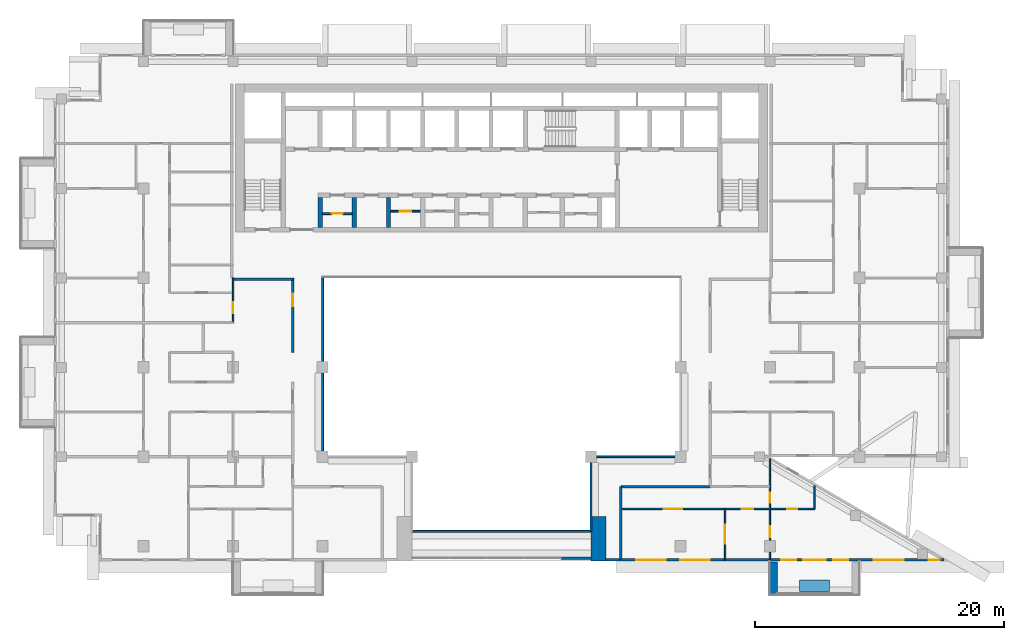
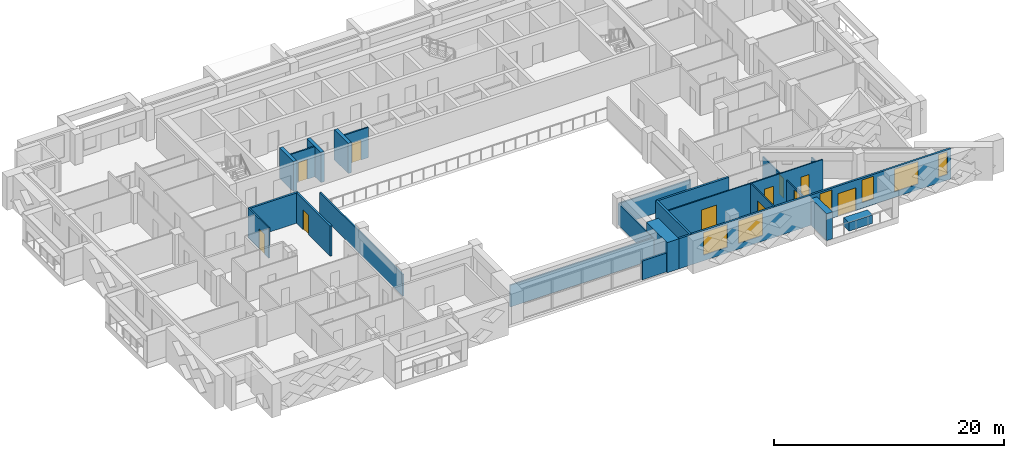
# One storey, part 8 of 20: 23 walls, 11 doors, 6 windows, 17 openings.
"""IFC4 building model written with IfcOpenShell, lengths in metres."""

from ifc_helpers import new_model, si_unit, direction, frame, frame_2d, origin, place, context, subcontext, project, spatial, rectangle, extrude, material, layer, layer_set, type_object, element, fill, save


model = new_model("IFC4")

# Units and contexts
model_context = context("Model", 3, precision=1e-05, world=origin(), true_north=direction((0.0, 1.0)))
body_context = subcontext(model_context, "Body", "Model", "MODEL_VIEW")
ifc_project = project(units=[si_unit("LENGTHUNIT", "METRE"), si_unit("AREAUNIT", "SQUARE_METRE"), si_unit("VOLUMEUNIT", "CUBIC_METRE"), si_unit("PLANEANGLEUNIT", "RADIAN"), si_unit("MASSUNIT", "GRAM", prefix="KILO")], contexts=[model_context])

# Site, building, storey
site_placement = place(None, origin())
site = spatial("IfcSite", under=ifc_project, at=site_placement, CompositionType="ELEMENT")
building_placement = place(site_placement, origin())
building = spatial("IfcBuilding", under=site, at=building_placement, Name="Saffron Iwan Residences", CompositionType="ELEMENT")
storey_placement = place(building_placement, frame((0.0, 0.0, 178.0)))
storey = spatial("IfcBuildingStorey", under=building, at=storey_placement, Name="L47", CompositionType="ELEMENT", Elevation=178.0)

# Walls
ifc_material_1 = material(Name="Fire-rated glazing", Category="glass")
ifc_layer_1 = layer(ifc_material_1, 0.14990234375)
ifc_layer_set_1 = layer_set([ifc_layer_1], Name="Fire-rated glazing")
wall_type_1 = type_object("IfcWallType", Name="Atrium glazed screen 150", PredefinedType="SOLIDWALL", material=ifc_layer_set_1)
wall_1_placement = place(storey_placement, frame((43.199951171875, 42.0, 0.0), z_axis=(0.0, 0.0, 1.0), x_axis=(1.0, 0.0, 0.0)))
element("IfcWall", 1, at=wall_1_placement, inside=storey, type_object=wall_type_1, Name="W-L47-SCREEN-h42-43.2", PredefinedType="SOLIDWALL", context=body_context, shape_type="SweptSolid", body=[
    extrude(rectangle(XDim=14.400146484375, YDim=0.14990234375, at=frame_2d((7.2001953125, 0.0))), origin(), (0.0, 0.0, 1.0), 2.300048828125),
])
wall_2_placement = place(storey_placement, frame((57.60009765625, 48.0, 0.0), z_axis=(0.0, 0.0, 1.0), x_axis=(1.0, 0.0, 0.0)))
element("IfcWall", 2, at=wall_2_placement, inside=storey, type_object=wall_type_1, Name="W-L47-SCREEN-h48-57.6", PredefinedType="SOLIDWALL", context=body_context, shape_type="SweptSolid", body=[
    extrude(rectangle(XDim=7.199951171875, YDim=0.14990234375, at=frame_2d((3.60009765625, 0.0))), origin(), (0.0, 0.0, 1.0), 2.300048828125),
])
wall_3_placement = place(storey_placement, frame((36.0, 48.0, 0.0), z_axis=(0.0, 0.0, 1.0), x_axis=(0.0, 1.0, 0.0)))
element("IfcWall", 3, at=wall_3_placement, inside=storey, type_object=wall_type_1, Name="W-L47-SCREEN-v36-48", PredefinedType="SOLIDWALL", context=body_context, shape_type="SweptSolid", body=[
    extrude(rectangle(XDim=14.39990234375, YDim=0.14990234375, at=frame_2d((7.199951171875, 0.0))), origin(), (0.0, 0.0, 1.0), 2.300048828125),
])
wall_4_placement = place(storey_placement, frame((57.60009765625, 42.0, 0.0), z_axis=(0.0, 0.0, 1.0), x_axis=(0.0, 1.0, 0.0)))
element("IfcWall", 4, at=wall_4_placement, inside=storey, type_object=wall_type_1, Name="W-L47-SCREEN-v57.6-42", PredefinedType="SOLIDWALL", context=body_context, shape_type="SweptSolid", body=[
    extrude(rectangle(XDim=6.0, YDim=0.14990234375, at=frame_2d((3.0, 0.0))), origin(), (0.0, 0.0, 1.0), 2.300048828125),
])
ifc_material_2 = material(Name="Concrete C50/60 white painted", Category="concrete")
ifc_layer_2 = layer(ifc_material_2, 0.60009765625)
ifc_layer_set_2 = layer_set([ifc_layer_2], Name="Concrete C50/60 white painted")
wall_type_2 = type_object("IfcWallType", Name="BALCONY FIN 600", PredefinedType="SOLIDWALL", material=ifc_layer_set_2)
wall_5_placement = place(storey_placement, frame((72.300048828125, 39.550048828125, 0.0), z_axis=(0.0, 0.0, 1.0), x_axis=(0.0, -1.0, 0.0)))
element("IfcWall", 5, at=wall_5_placement, inside=storey, type_object=wall_type_2, Name="Balcony fin L47 11-1a", PredefinedType="SOLIDWALL", context=body_context, shape_type="SweptSolid", body=[
    extrude(rectangle(XDim=2.650146484375, YDim=0.60009765625, at=frame_2d((1.3251953125, 0.0))), origin(), (0.0, 0.0, 1.0), 2.85009765625),
])
ifc_material_3 = material(Name="Concrete C35/45 white painted", Category="concrete")
ifc_layer_3 = layer(ifc_material_3, 0.14990234375)
ifc_layer_set_3 = layer_set([ifc_layer_3], Name="Concrete C35/45 white painted")
wall_type_3 = type_object("IfcWallType", Name="BALCONY PLANTER", PredefinedType="SOLIDWALL", material=ifc_layer_set_3)
wall_6_placement = place(storey_placement, frame((74.39990234375, 37.625, 0.0), z_axis=(0.0, 0.0, 1.0), x_axis=(1.0, 0.0, 0.0)))
element("IfcWall", 6, at=wall_6_placement, inside=storey, type_object=wall_type_3, Name="PLANTER L47 11-1", PredefinedType="SOLIDWALL", context=body_context, shape_type="SweptSolid", body=[
    extrude(rectangle(XDim=2.400146484375, YDim=0.89990234375, at=frame_2d((1.2001953125, 0.0))), origin(), (0.0, 0.0, 1.0), 0.89990234375),
])

# Wall, opening, door
ifc_material_4 = material(Name="Fire-rated plasterboard partition")
ifc_layer_4 = layer(ifc_material_4, 0.14990234375)
ifc_layer_set_4 = layer_set([ifc_layer_4], Name="Fire-rated plasterboard partition")
wall_type_4 = type_object("IfcWallType", Name="Core partition 150", PredefinedType="PARTITIONING", material=ifc_layer_set_4)
wall_7_placement = place(storey_placement, frame((35.97509765625, 67.5654296875, 0.0), z_axis=(0.0, 0.0, 1.0), x_axis=(1.0, 0.0, 0.0)))
wall_7 = element("IfcWall", 7, at=wall_7_placement, inside=storey, type_object=wall_type_4, Name="Core partition P01", PredefinedType="PARTITIONING", context=body_context, shape_type="SweptSolid", body=[
    extrude(rectangle(XDim=2.39990234375, YDim=0.14990234375, at=frame_2d((1.199951171875, 0.0))), origin(), (0.0, 0.0, 1.0), 3.199951171875),
])
opening_1_placement = place(wall_7_placement, frame((0.75, 0.0, 0.0)))
opening_1 = element("IfcOpeningElement", 8, at=opening_1_placement, cuts=wall_7, Name="Opening SB", PredefinedType="OPENING", context=body_context, shape_type="SweptSolid", body=[
    extrude(rectangle(XDim=0.89990234375, YDim=2.10009765625, at=frame_2d((0.449951171875, 1.050048828125))), frame((0.0, 0.0849609375, 0.0), z_axis=(0.0, -1.0, 0.0), x_axis=(1.0, 0.0, 0.0)), (0.0, 0.0, 1.0), 0.169921875),
])
ifc_material_5 = material(Name="Steel fire door", Category="steel")
door_type_1 = type_object("IfcDoorType", Name="Store door 900", OperationType="NOTDEFINED", PredefinedType="DOOR", material=ifc_material_5)
door_1_placement = place(opening_1_placement, origin())
door_1 = element("IfcDoor", 9, at=door_1_placement, inside=storey, type_object=door_type_1, Name="Door Equipment store", OperationType="SINGLE_SWING_RIGHT", OverallHeight=2.10009765625, OverallWidth=0.89990234375, PredefinedType="DOOR", context=body_context, shape_type="SweptSolid", body=[
    extrude(rectangle(XDim=0.89990234375, YDim=2.10009765625, at=frame_2d((0.449951171875, 1.050048828125))), frame((0.0, 0.02490234375, 0.0), z_axis=(0.0, -1.0, 0.0), x_axis=(1.0, 0.0, 0.0)), (0.0, 0.0, 1.0), 0.050048828125),
])
fill(opening_1, door_1)

wall_8_placement = place(storey_placement, frame((41.47509765625, 67.759521484375, 0.0), z_axis=(0.0, 0.0, 1.0), x_axis=(1.0, 0.0, 0.0)))
wall_8 = element("IfcWall", 10, at=wall_8_placement, inside=storey, type_object=wall_type_4, Name="Core partition P02", PredefinedType="PARTITIONING", context=body_context, shape_type="SweptSolid", body=[
    extrude(rectangle(XDim=2.39990234375, YDim=0.14990234375, at=frame_2d((1.199951171875, 0.0))), origin(), (0.0, 0.0, 1.0), 3.199951171875),
])
opening_2_placement = place(wall_8_placement, frame((0.75, 0.0, 0.0)))
opening_2 = element("IfcOpeningElement", 11, at=opening_2_placement, cuts=wall_8, Name="Opening SB", PredefinedType="OPENING", context=body_context, shape_type="SweptSolid", body=[
    extrude(rectangle(XDim=0.89990234375, YDim=2.10009765625, at=frame_2d((0.449951171875, 1.050048828125))), frame((0.0, 0.0849609375, 0.0), z_axis=(0.0, -1.0, 0.0), x_axis=(1.0, 0.0, 0.0)), (0.0, 0.0, 1.0), 0.169921875),
])
door_2_placement = place(opening_2_placement, origin())
door_2 = element("IfcDoor", 12, at=door_2_placement, inside=storey, type_object=door_type_1, Name="Door Spares store", OperationType="SINGLE_SWING_LEFT", OverallHeight=2.10009765625, OverallWidth=0.89990234375, PredefinedType="DOOR", context=body_context, shape_type="SweptSolid", body=[
    extrude(rectangle(XDim=0.89990234375, YDim=2.10009765625, at=frame_2d((0.449951171875, 1.050048828125))), frame((0.0, 0.02490234375, 0.0), z_axis=(0.0, -1.0, 0.0), x_axis=(1.0, 0.0, 0.0)), (0.0, 0.0, 1.0), 0.050048828125),
])
fill(opening_2, door_2)

# Wall, openings, door, windows
ifc_material_6 = material(Name="Concrete C40/50", Category="concrete")
ifc_layer_5 = layer(ifc_material_6, 0.199951171875)
ifc_layer_set_5 = layer_set([ifc_layer_5], Name="Concrete C40/50")
wall_type_5 = type_object("IfcWallType", Name="EXTERNAL WALL 200", PredefinedType="SOLIDWALL", material=ifc_layer_set_5)
wall_9_placement = place(storey_placement, frame((58.800048828125, 39.699951171875, 0.0), z_axis=(0.0, 0.0, 1.0), x_axis=(1.0, 0.0, 0.0)))
wall_9 = element("IfcWall", 13, at=wall_9_placement, inside=storey, type_object=wall_type_5, Name="External wall L47 F11.1", PredefinedType="SOLIDWALL", context=body_context, shape_type="SweptSolid", body=[
    extrude(rectangle(XDim=27.22998046875, YDim=0.199951171875, at=frame_2d((13.614990234375, 0.0))), origin(), (0.0, 0.0, 1.0), 3.199951171875),
])
opening_3_placement = place(wall_9_placement, frame((15.89990234375, 0.0, 0.0)))
opening_3 = element("IfcOpeningElement", 14, at=opening_3_placement, cuts=wall_9, Name="Opening BD1", PredefinedType="OPENING", context=body_context, shape_type="SweptSolid", body=[
    extrude(rectangle(XDim=1.800048828125, YDim=2.39990234375, at=frame_2d((0.89990234375, 1.199951171875))), frame((0.0, 0.10986328125, 0.0), z_axis=(0.0, -1.0, 0.0), x_axis=(1.0, 0.0, 0.0)), (0.0, 0.0, 1.0), 0.219970703125),
])
opening_4_placement = place(wall_9_placement, frame((2.433349609375, 0.0, 0.60009765625)))
opening_4 = element("IfcOpeningElement", 15, at=opening_4_placement, cuts=wall_9, Name="Opening W1", PredefinedType="OPENING", context=body_context, shape_type="SweptSolid", body=[
    extrude(rectangle(XDim=2.39990234375, YDim=2.39990234375, at=frame_2d((1.199951171875, 1.199951171875))), frame((0.0, 0.10986328125, 0.0), z_axis=(0.0, -1.0, 0.0), x_axis=(1.0, 0.0, 0.0)), (0.0, 0.0, 1.0), 0.219970703125),
])
opening_5_placement = place(wall_9_placement, frame((5.966796875, 0.0, 0.60009765625)))
opening_5 = element("IfcOpeningElement", 16, at=opening_5_placement, cuts=wall_9, Name="Opening W1", PredefinedType="OPENING", context=body_context, shape_type="SweptSolid", body=[
    extrude(rectangle(XDim=2.39990234375, YDim=2.39990234375, at=frame_2d((1.199951171875, 1.199951171875))), frame((0.0, 0.10986328125, 0.0), z_axis=(0.0, -1.0, 0.0), x_axis=(1.0, 0.0, 0.0)), (0.0, 0.0, 1.0), 0.219970703125),
])
opening_6_placement = place(wall_9_placement, frame((14.10009765625, 0.0, 0.60009765625)))
opening_6 = element("IfcOpeningElement", 17, at=opening_6_placement, cuts=wall_9, Name="Opening W3", PredefinedType="OPENING", context=body_context, shape_type="SweptSolid", body=[
    extrude(rectangle(XDim=1.199951171875, YDim=2.39990234375, at=frame_2d((0.60009765625, 1.199951171875))), frame((0.0, 0.10986328125, 0.0), z_axis=(0.0, -1.0, 0.0), x_axis=(1.0, 0.0, 0.0)), (0.0, 0.0, 1.0), 0.219970703125),
])
opening_7_placement = place(wall_9_placement, frame((18.300048828125, 0.0, 0.60009765625)))
opening_7 = element("IfcOpeningElement", 18, at=opening_7_placement, cuts=wall_9, Name="Opening W3", PredefinedType="OPENING", context=body_context, shape_type="SweptSolid", body=[
    extrude(rectangle(XDim=1.199951171875, YDim=2.39990234375, at=frame_2d((0.60009765625, 1.199951171875))), frame((0.0, 0.10986328125, 0.0), z_axis=(0.0, -1.0, 0.0), x_axis=(1.0, 0.0, 0.0)), (0.0, 0.0, 1.0), 0.219970703125),
])
opening_8_placement = place(wall_9_placement, frame((21.56298828125, 0.0, 0.60009765625)))
opening_8 = element("IfcOpeningElement", 19, at=opening_8_placement, cuts=wall_9, Name="Opening W1", PredefinedType="OPENING", context=body_context, shape_type="SweptSolid", body=[
    extrude(rectangle(XDim=2.39990234375, YDim=2.39990234375, at=frame_2d((1.199951171875, 1.199951171875))), frame((0.0, 0.10986328125, 0.0), z_axis=(0.0, -1.0, 0.0), x_axis=(1.0, 0.0, 0.0)), (0.0, 0.0, 1.0), 0.219970703125),
])
opening_9_placement = place(wall_9_placement, frame((25.978271484375, 0.0, 0.60009765625)))
opening_9 = element("IfcOpeningElement", 20, at=opening_9_placement, cuts=wall_9, Name="Opening W10", PredefinedType="OPENING", context=body_context, shape_type="SweptSolid", body=[
    extrude(rectangle(XDim=0.89990234375, YDim=2.39990234375, at=frame_2d((0.449951171875, 1.199951171875))), frame((0.0, 0.10986328125, 0.0), z_axis=(0.0, -1.0, 0.0), x_axis=(1.0, 0.0, 0.0)), (0.0, 0.0, 1.0), 0.219970703125),
])
ifc_material_7 = material(Name="Clear glass, laminated double glazed", Category="glass")
door_type_2 = type_object("IfcDoorType", Name="BALCONY DOOR 1800 x 2400", OperationType="DOUBLE_DOOR_SLIDING", PredefinedType="DOOR", material=ifc_material_7)
door_3_placement = place(opening_3_placement, origin())
door_3 = element("IfcDoor", 21, at=door_3_placement, inside=storey, type_object=door_type_2, Name="Balcony door L47 F11.0", OperationType="DOUBLE_DOOR_SLIDING", OverallHeight=2.39990234375, OverallWidth=1.800048828125, PredefinedType="DOOR", context=body_context, shape_type="SweptSolid", body=[
    extrude(rectangle(XDim=1.800048828125, YDim=2.39990234375, at=frame_2d((0.89990234375, 1.199951171875))), frame((0.0, 0.02490234375, 0.0), z_axis=(0.0, -1.0, 0.0), x_axis=(1.0, 0.0, 0.0)), (0.0, 0.0, 1.0), 0.050048828125),
])
fill(opening_3, door_3)
window_type_1 = type_object("IfcWindowType", Name="WINDOW 1200 x 2400", PartitioningType="SINGLE_PANEL", PredefinedType="WINDOW", material=ifc_material_7)
window_1_placement = place(opening_6_placement, origin())
window_1 = element("IfcWindow", 22, at=window_1_placement, inside=storey, type_object=window_type_1, Name="Window L47 F11.3", OverallHeight=2.39990234375, OverallWidth=1.199951171875, PartitioningType="SINGLE_PANEL", PredefinedType="WINDOW", context=body_context, shape_type="SweptSolid", body=[
    extrude(rectangle(XDim=1.199951171875, YDim=2.39990234375, at=frame_2d((0.60009765625, 1.199951171875))), frame((0.0, 0.030029296875, 0.0), z_axis=(0.0, -1.0, 0.0), x_axis=(1.0, 0.0, 0.0)), (0.0, 0.0, 1.0), 0.06005859375),
])
fill(opening_6, window_1)
window_2_placement = place(opening_7_placement, origin())
window_2 = element("IfcWindow", 23, at=window_2_placement, inside=storey, type_object=window_type_1, Name="Window L47 F11.4", OverallHeight=2.39990234375, OverallWidth=1.199951171875, PartitioningType="SINGLE_PANEL", PredefinedType="WINDOW", context=body_context, shape_type="SweptSolid", body=[
    extrude(rectangle(XDim=1.199951171875, YDim=2.39990234375, at=frame_2d((0.60009765625, 1.199951171875))), frame((0.0, 0.030029296875, 0.0), z_axis=(0.0, -1.0, 0.0), x_axis=(1.0, 0.0, 0.0)), (0.0, 0.0, 1.0), 0.06005859375),
])
fill(opening_7, window_2)
window_type_2 = type_object("IfcWindowType", Name="WINDOW 2400 x 2400", PartitioningType="DOUBLE_PANEL_VERTICAL", PredefinedType="WINDOW", material=ifc_material_7)
window_3_placement = place(opening_4_placement, origin())
window_3 = element("IfcWindow", 24, at=window_3_placement, inside=storey, type_object=window_type_2, Name="Window L47 F11.1", OverallHeight=2.39990234375, OverallWidth=2.39990234375, PartitioningType="DOUBLE_PANEL_VERTICAL", PredefinedType="WINDOW", context=body_context, shape_type="SweptSolid", body=[
    extrude(rectangle(XDim=2.39990234375, YDim=2.39990234375, at=frame_2d((1.199951171875, 1.199951171875))), frame((0.0, 0.030029296875, 0.0), z_axis=(0.0, -1.0, 0.0), x_axis=(1.0, 0.0, 0.0)), (0.0, 0.0, 1.0), 0.06005859375),
])
fill(opening_4, window_3)
window_4_placement = place(opening_5_placement, origin())
window_4 = element("IfcWindow", 25, at=window_4_placement, inside=storey, type_object=window_type_2, Name="Window L47 F11.2", OverallHeight=2.39990234375, OverallWidth=2.39990234375, PartitioningType="DOUBLE_PANEL_VERTICAL", PredefinedType="WINDOW", context=body_context, shape_type="SweptSolid", body=[
    extrude(rectangle(XDim=2.39990234375, YDim=2.39990234375, at=frame_2d((1.199951171875, 1.199951171875))), frame((0.0, 0.030029296875, 0.0), z_axis=(0.0, -1.0, 0.0), x_axis=(1.0, 0.0, 0.0)), (0.0, 0.0, 1.0), 0.06005859375),
])
fill(opening_5, window_4)
window_5_placement = place(opening_8_placement, origin())
window_5 = element("IfcWindow", 26, at=window_5_placement, inside=storey, type_object=window_type_2, Name="Window L47 F11.5", OverallHeight=2.39990234375, OverallWidth=2.39990234375, PartitioningType="DOUBLE_PANEL_VERTICAL", PredefinedType="WINDOW", context=body_context, shape_type="SweptSolid", body=[
    extrude(rectangle(XDim=2.39990234375, YDim=2.39990234375, at=frame_2d((1.199951171875, 1.199951171875))), frame((0.0, 0.030029296875, 0.0), z_axis=(0.0, -1.0, 0.0), x_axis=(1.0, 0.0, 0.0)), (0.0, 0.0, 1.0), 0.06005859375),
])
fill(opening_8, window_5)
window_type_3 = type_object("IfcWindowType", Name="WINDOW 900 x 2400", PartitioningType="SINGLE_PANEL", PredefinedType="WINDOW", material=ifc_material_7)
window_6_placement = place(opening_9_placement, origin())
window_6 = element("IfcWindow", 27, at=window_6_placement, inside=storey, type_object=window_type_3, Name="Window L47 F11.6", OverallHeight=2.39990234375, OverallWidth=0.89990234375, PartitioningType="SINGLE_PANEL", PredefinedType="WINDOW", context=body_context, shape_type="SweptSolid", body=[
    extrude(rectangle(XDim=0.89990234375, YDim=2.39990234375, at=frame_2d((0.449951171875, 1.199951171875))), frame((0.0, 0.030029296875, 0.0), z_axis=(0.0, -1.0, 0.0), x_axis=(1.0, 0.0, 0.0)), (0.0, 0.0, 1.0), 0.06005859375),
])
fill(opening_9, window_6)

# Wall
wall_10_placement = place(storey_placement, frame((55.199951171875, 39.85009765625, 0.0), z_axis=(0.0, 0.0, 1.0), x_axis=(1.0, 0.0, 0.0)))
element("IfcWall", 28, at=wall_10_placement, inside=storey, type_object=wall_type_5, Name="External wall infill CWB-L47-0", PredefinedType="SOLIDWALL", context=body_context, shape_type="SweptSolid", body=[
    extrude(rectangle(XDim=2.400146484375, YDim=0.199951171875, at=frame_2d((1.2001953125, 0.0))), origin(), (0.0, 0.0, 1.0), 2.0),
])

# Wall, openings, doors
ifc_material_8 = material(Name="Gypsum board partition")
ifc_layer_6 = layer(ifc_material_8, 0.1201171875)
ifc_layer_set_6 = layer_set([ifc_layer_6], Name="Gypsum board partition")
wall_type_6 = type_object("IfcWallType", Name="Flat partition 120", PredefinedType="PARTITIONING", material=ifc_layer_set_6)
wall_11_placement = place(storey_placement, frame((60.0, 43.800048828125, 0.0), z_axis=(0.0, 0.0, 1.0), x_axis=(1.0, 0.0, 0.0)))
wall_11 = element("IfcWall", 29, at=wall_11_placement, inside=storey, type_object=wall_type_6, Name="W-L47-PART-h43.8-60", PredefinedType="PARTITIONING", context=body_context, shape_type="SweptSolid", body=[
    extrude(rectangle(XDim=15.60009765625, YDim=0.1201171875, at=frame_2d((7.800048828125, 0.0))), origin(), (0.0, 0.0, 1.0), 3.199951171875),
])
opening_10_placement = place(wall_11_placement, frame((9.75, 0.0, 0.0)))
opening_10 = element("IfcOpeningElement", 30, at=opening_10_placement, cuts=wall_11, Name="Opening FD2", PredefinedType="OPENING", context=body_context, shape_type="SweptSolid", body=[
    extrude(rectangle(XDim=0.89990234375, YDim=2.10009765625, at=frame_2d((0.449951171875, 1.050048828125))), frame((0.0, 0.070068359375, 0.0), z_axis=(0.0, -1.0, 0.0), x_axis=(1.0, 0.0, 0.0)), (0.0, 0.0, 1.0), 0.14013671875),
])
opening_11_placement = place(wall_11_placement, frame((3.449951171875, 0.0, 0.0)))
opening_11 = element("IfcOpeningElement", 31, at=opening_11_placement, cuts=wall_11, Name="Opening FD4", PredefinedType="OPENING", context=body_context, shape_type="SweptSolid", body=[
    extrude(rectangle(XDim=1.5, YDim=2.10009765625, at=frame_2d((0.75, 1.050048828125))), frame((0.0, 0.070068359375, 0.0), z_axis=(0.0, -1.0, 0.0), x_axis=(1.0, 0.0, 0.0)), (0.0, 0.0, 1.0), 0.14013671875),
])
opening_12_placement = place(wall_11_placement, frame((13.39990234375, 0.0, 0.0)))
opening_12 = element("IfcOpeningElement", 32, at=opening_12_placement, cuts=wall_11, Name="Opening FD3", PredefinedType="OPENING", context=body_context, shape_type="SweptSolid", body=[
    extrude(rectangle(XDim=0.800048828125, YDim=2.10009765625, at=frame_2d((0.39990234375, 1.050048828125))), frame((0.0, 0.070068359375, 0.0), z_axis=(0.0, -1.0, 0.0), x_axis=(1.0, 0.0, 0.0)), (0.0, 0.0, 1.0), 0.14013671875),
])
ifc_material_9 = material(Name="Timber door", Category="wood")
door_type_3 = type_object("IfcDoorType", Name="Bathroom door 800", OperationType="NOTDEFINED", PredefinedType="DOOR", material=ifc_material_9)
door_4_placement = place(opening_12_placement, origin())
door_4 = element("IfcDoor", 33, at=door_4_placement, inside=storey, type_object=door_type_3, Name="Door L47-046", OperationType="SINGLE_SWING_LEFT", OverallHeight=2.10009765625, OverallWidth=0.800048828125, PredefinedType="DOOR", context=body_context, shape_type="SweptSolid", body=[
    extrude(rectangle(XDim=0.800048828125, YDim=2.10009765625, at=frame_2d((0.39990234375, 1.050048828125))), frame((0.0, 0.02490234375, 0.0), z_axis=(0.0, -1.0, 0.0), x_axis=(1.0, 0.0, 0.0)), (0.0, 0.0, 1.0), 0.050048828125),
])
fill(opening_12, door_4)
door_type_4 = type_object("IfcDoorType", Name="Double door 1500", OperationType="NOTDEFINED", PredefinedType="DOOR", material=ifc_material_9)
door_5_placement = place(opening_11_placement, origin())
door_5 = element("IfcDoor", 34, at=door_5_placement, inside=storey, type_object=door_type_4, Name="Door L47-043", OperationType="SINGLE_SWING_LEFT", OverallHeight=2.10009765625, OverallWidth=1.5, PredefinedType="DOOR", context=body_context, shape_type="SweptSolid", body=[
    extrude(rectangle(XDim=1.5, YDim=2.10009765625, at=frame_2d((0.75, 1.050048828125))), frame((0.0, 0.02490234375, 0.0), z_axis=(0.0, -1.0, 0.0), x_axis=(1.0, 0.0, 0.0)), (0.0, 0.0, 1.0), 0.050048828125),
])
fill(opening_11, door_5)
door_type_5 = type_object("IfcDoorType", Name="Flat door 900", OperationType="NOTDEFINED", PredefinedType="DOOR", material=ifc_material_9)
door_6_placement = place(opening_10_placement, origin())
door_6 = element("IfcDoor", 35, at=door_6_placement, inside=storey, type_object=door_type_5, Name="Door L47-042", OperationType="SINGLE_SWING_LEFT", OverallHeight=2.10009765625, OverallWidth=0.89990234375, PredefinedType="DOOR", context=body_context, shape_type="SweptSolid", body=[
    extrude(rectangle(XDim=0.89990234375, YDim=2.10009765625, at=frame_2d((0.449951171875, 1.050048828125))), frame((0.0, 0.02490234375, 0.0), z_axis=(0.0, -1.0, 0.0), x_axis=(1.0, 0.0, 0.0)), (0.0, 0.0, 1.0), 0.050048828125),
])
fill(opening_10, door_6)

# Wall, opening, door
wall_12_placement = place(storey_placement, frame((28.800048828125, 58.800048828125, 0.0), z_axis=(0.0, 0.0, 1.0), x_axis=(0.0, 1.0, 0.0)))
wall_12 = element("IfcWall", 36, at=wall_12_placement, inside=storey, type_object=wall_type_6, Name="W-L47-PART-v28.8-58.8", PredefinedType="PARTITIONING", context=body_context, shape_type="SweptSolid", body=[
    extrude(rectangle(XDim=3.599853515625, YDim=0.1201171875, at=frame_2d((1.7998046875, 0.0))), origin(), (0.0, 0.0, 1.0), 3.199951171875),
])
opening_13_placement = place(wall_12_placement, frame((0.75, 0.0, 0.0)))
opening_13 = element("IfcOpeningElement", 37, at=opening_13_placement, cuts=wall_12, Name="Opening FD2", PredefinedType="OPENING", context=body_context, shape_type="SweptSolid", body=[
    extrude(rectangle(XDim=0.89990234375, YDim=2.10009765625, at=frame_2d((0.449951171875, 1.050048828125))), frame((0.0, 0.070068359375, 0.0), z_axis=(0.0, -1.0, 0.0), x_axis=(1.0, 0.0, 0.0)), (0.0, 0.0, 1.0), 0.14013671875),
])
door_7_placement = place(opening_13_placement, origin())
door_7 = element("IfcDoor", 38, at=door_7_placement, inside=storey, type_object=door_type_5, Name="Door L47-020", OperationType="SINGLE_SWING_RIGHT", OverallHeight=2.10009765625, OverallWidth=0.89990234375, PredefinedType="DOOR", context=body_context, shape_type="SweptSolid", body=[
    extrude(rectangle(XDim=0.89990234375, YDim=2.10009765625, at=frame_2d((0.449951171875, 1.050048828125))), frame((0.0, 0.02490234375, 0.0), z_axis=(0.0, -1.0, 0.0), x_axis=(1.0, 0.0, 0.0)), (0.0, 0.0, 1.0), 0.050048828125),
])
fill(opening_13, door_7)

wall_13_placement = place(storey_placement, frame((68.39990234375, 39.72509765625, 0.0), z_axis=(0.0, 0.0, 1.0), x_axis=(0.0, 1.0, 0.0)))
wall_13 = element("IfcWall", 39, at=wall_13_placement, inside=storey, type_object=wall_type_6, Name="W-L47-PART-v68.4-39.725", PredefinedType="PARTITIONING", context=body_context, shape_type="SweptSolid", body=[
    extrude(rectangle(XDim=4.074951171875, YDim=0.1201171875, at=frame_2d((2.03759765625, 0.0))), origin(), (0.0, 0.0, 1.0), 3.199951171875),
])
opening_14_placement = place(wall_13_placement, frame((1.28759765625, 0.0, 0.0)))
opening_14 = element("IfcOpeningElement", 40, at=opening_14_placement, cuts=wall_13, Name="Opening FD4", PredefinedType="OPENING", context=body_context, shape_type="SweptSolid", body=[
    extrude(rectangle(XDim=1.5, YDim=2.10009765625, at=frame_2d((0.75, 1.050048828125))), frame((0.0, 0.070068359375, 0.0), z_axis=(0.0, -1.0, 0.0), x_axis=(1.0, 0.0, 0.0)), (0.0, 0.0, 1.0), 0.14013671875),
])
door_8_placement = place(opening_14_placement, origin())
door_8 = element("IfcDoor", 41, at=door_8_placement, inside=storey, type_object=door_type_4, Name="Door L47-039", OperationType="SINGLE_SWING_LEFT", OverallHeight=2.10009765625, OverallWidth=1.5, PredefinedType="DOOR", context=body_context, shape_type="SweptSolid", body=[
    extrude(rectangle(XDim=1.5, YDim=2.10009765625, at=frame_2d((0.75, 1.050048828125))), frame((0.0, 0.02490234375, 0.0), z_axis=(0.0, -1.0, 0.0), x_axis=(1.0, 0.0, 0.0)), (0.0, 0.0, 1.0), 0.050048828125),
])
fill(opening_14, door_8)

# Wall, openings, doors
wall_14_placement = place(storey_placement, frame((72.0, 39.72509765625, 0.0), z_axis=(0.0, 0.0, 1.0), x_axis=(0.0, 1.0, 0.0)))
wall_14 = element("IfcWall", 42, at=wall_14_placement, inside=storey, type_object=wall_type_6, Name="W-L47-PART-v72-39.725", PredefinedType="PARTITIONING", context=body_context, shape_type="SweptSolid", body=[
    extrude(rectangle(XDim=8.1298828125, YDim=0.1201171875, at=frame_2d((4.06494140625, 0.0))), origin(), (0.0, 0.0, 1.0), 2.300048828125),
])
opening_15_placement = place(wall_14_placement, frame((1.78759765625, 0.0, 0.0)))
opening_15 = element("IfcOpeningElement", 43, at=opening_15_placement, cuts=wall_14, Name="Opening FD2", PredefinedType="OPENING", context=body_context, shape_type="SweptSolid", body=[
    extrude(rectangle(XDim=0.89990234375, YDim=2.10009765625, at=frame_2d((0.449951171875, 1.050048828125))), frame((0.0, 0.070068359375, 0.0), z_axis=(0.0, -1.0, 0.0), x_axis=(1.0, 0.0, 0.0)), (0.0, 0.0, 1.0), 0.14013671875),
])
opening_16_placement = place(wall_14_placement, frame((4.574951171875, 0.0, 0.0)))
opening_16 = element("IfcOpeningElement", 44, at=opening_16_placement, cuts=wall_14, Name="Opening FD3", PredefinedType="OPENING", context=body_context, shape_type="SweptSolid", body=[
    extrude(rectangle(XDim=0.800048828125, YDim=2.10009765625, at=frame_2d((0.39990234375, 1.050048828125))), frame((0.0, 0.070068359375, 0.0), z_axis=(0.0, -1.0, 0.0), x_axis=(1.0, 0.0, 0.0)), (0.0, 0.0, 1.0), 0.14013671875),
])
door_9_placement = place(opening_16_placement, origin())
door_9 = element("IfcDoor", 45, at=door_9_placement, inside=storey, type_object=door_type_3, Name="Door L47-045", OperationType="SINGLE_SWING_LEFT", OverallHeight=2.10009765625, OverallWidth=0.800048828125, PredefinedType="DOOR", context=body_context, shape_type="SweptSolid", body=[
    extrude(rectangle(XDim=0.800048828125, YDim=2.10009765625, at=frame_2d((0.39990234375, 1.050048828125))), frame((0.0, 0.02490234375, 0.0), z_axis=(0.0, -1.0, 0.0), x_axis=(1.0, 0.0, 0.0)), (0.0, 0.0, 1.0), 0.050048828125),
])
fill(opening_16, door_9)
door_10_placement = place(opening_15_placement, origin())
door_10 = element("IfcDoor", 46, at=door_10_placement, inside=storey, type_object=door_type_5, Name="Door L47-044", OperationType="SINGLE_SWING_LEFT", OverallHeight=2.10009765625, OverallWidth=0.89990234375, PredefinedType="DOOR", context=body_context, shape_type="SweptSolid", body=[
    extrude(rectangle(XDim=0.89990234375, YDim=2.10009765625, at=frame_2d((0.449951171875, 1.050048828125))), frame((0.0, 0.02490234375, 0.0), z_axis=(0.0, -1.0, 0.0), x_axis=(1.0, 0.0, 0.0)), (0.0, 0.0, 1.0), 0.050048828125),
])
fill(opening_15, door_10)

# Walls
wall_15_placement = place(storey_placement, frame((75.60009765625, 43.800048828125, 0.0), z_axis=(0.0, 0.0, 1.0), x_axis=(0.0, 1.0, 0.0)))
element("IfcWall", 47, at=wall_15_placement, inside=storey, type_object=wall_type_6, Name="W-L47-PART-v75.6-43.8", PredefinedType="PARTITIONING", context=body_context, shape_type="SweptSolid", body=[
    extrude(rectangle(XDim=1.868408203125, YDim=0.1201171875, at=frame_2d((0.93408203125, 0.0))), origin(), (0.0, 0.0, 1.0), 2.300048828125),
])
ifc_material_10 = material(Name="Fire-rated gypsum board wall")
ifc_layer_7 = layer(ifc_material_10, 0.199951171875)
ifc_layer_set_7 = layer_set([ifc_layer_7], Name="Fire-rated gypsum board wall")
wall_type_7 = type_object("IfcWallType", Name="Gallery wall 200", PredefinedType="SOLIDWALL", material=ifc_layer_set_7)
wall_16_placement = place(storey_placement, frame((60.0, 45.60009765625, 0.0), z_axis=(0.0, 0.0, 1.0), x_axis=(1.0, 0.0, 0.0)))
element("IfcWall", 48, at=wall_16_placement, inside=storey, type_object=wall_type_7, Name="W-L47-CORR-h45.6-60", PredefinedType="SOLIDWALL", context=body_context, shape_type="SweptSolid", body=[
    extrude(rectangle(XDim=7.199951171875, YDim=0.199951171875, at=frame_2d((3.60009765625, 0.0))), origin(), (0.0, 0.0, 1.0), 3.199951171875),
])
wall_17_placement = place(storey_placement, frame((28.800048828125, 62.300048828125, 0.0), z_axis=(0.0, 0.0, 1.0), x_axis=(1.0, 0.0, 0.0)))
element("IfcWall", 49, at=wall_17_placement, inside=storey, type_object=wall_type_7, Name="W-L47-CORR-h62.4-28.8", PredefinedType="SOLIDWALL", context=body_context, shape_type="SweptSolid", body=[
    extrude(rectangle(XDim=4.800048828125, YDim=0.199951171875, at=frame_2d((2.39990234375, 0.0))), origin(), (0.0, 0.0, 1.0), 3.199951171875),
])

# Wall, opening, door
wall_18_placement = place(storey_placement, frame((33.60009765625, 56.39990234375, 0.0), z_axis=(0.0, 0.0, 1.0), x_axis=(0.0, 1.0, 0.0)))
wall_18 = element("IfcWall", 50, at=wall_18_placement, inside=storey, type_object=wall_type_7, Name="W-L47-CORR-v33.6-56.4", PredefinedType="SOLIDWALL", context=body_context, shape_type="SweptSolid", body=[
    extrude(rectangle(XDim=6.0, YDim=0.199951171875, at=frame_2d((3.0, 0.0))), origin(), (0.0, 0.0, 1.0), 3.199951171875),
])
opening_17_placement = place(wall_18_placement, frame((3.699951171875, 0.0, 0.0)))
opening_17 = element("IfcOpeningElement", 51, at=opening_17_placement, cuts=wall_18, Name="Opening FD5", PredefinedType="OPENING", context=body_context, shape_type="SweptSolid", body=[
    extrude(rectangle(XDim=1.0, YDim=2.10009765625, at=frame_2d((0.5, 1.050048828125))), frame((0.0, 0.10986328125, 0.0), z_axis=(0.0, -1.0, 0.0), x_axis=(1.0, 0.0, 0.0)), (0.0, 0.0, 1.0), 0.219970703125),
])
ifc_material_11 = material(Name="Fire-rated timber door", Category="wood")
door_type_6 = type_object("IfcDoorType", Name="Lobby door 1000", OperationType="NOTDEFINED", PredefinedType="DOOR", material=ifc_material_11)
door_11_placement = place(opening_17_placement, origin())
door_11 = element("IfcDoor", 52, at=door_11_placement, inside=storey, type_object=door_type_6, Name="Door L47-021", OperationType="SINGLE_SWING_LEFT", OverallHeight=2.10009765625, OverallWidth=1.0, PredefinedType="DOOR", context=body_context, shape_type="SweptSolid", body=[
    extrude(rectangle(XDim=1.0, YDim=2.10009765625, at=frame_2d((0.5, 1.050048828125))), frame((0.0, 0.02490234375, 0.0), z_axis=(0.0, -1.0, 0.0), x_axis=(1.0, 0.0, 0.0)), (0.0, 0.0, 1.0), 0.050048828125),
])
fill(opening_17, door_11)

# Walls
wall_19_placement = place(storey_placement, frame((60.0, 39.72509765625, 0.0), z_axis=(0.0, 0.0, 1.0), x_axis=(0.0, 1.0, 0.0)))
element("IfcWall", 53, at=wall_19_placement, inside=storey, type_object=wall_type_7, Name="W-L47-CORR-v60-39.725", PredefinedType="SOLIDWALL", context=body_context, shape_type="SweptSolid", body=[
    extrude(rectangle(XDim=5.875, YDim=0.199951171875, at=frame_2d((2.9375, 0.0))), origin(), (0.0, 0.0, 1.0), 3.199951171875),
])
ifc_material_12 = material(Name="Concrete C50/60", Category="concrete")
ifc_layer_8 = layer(ifc_material_12, 0.35009765625)
ifc_layer_set_8 = layer_set([ifc_layer_8], Name="Concrete C50/60")
wall_type_8 = type_object("IfcWallType", Name="WALL CORE 350 C50/60 3200 HIGH", PredefinedType="SHEAR", material=ifc_layer_set_8)
for number, where, z_axis, x_axis, name in (
    (54, (35.800048828125, 66.449951171875, 0.0), (0.0, 0.0, 1.0), (0.0, 1.0, 0.0), "Core wall"),
    (55, (38.550048828125, 66.449951171875, 0.0), (0.0, 0.0, 1.0), (0.0, 1.0, 0.0), "Core wall"),
    (56, (41.300048828125, 66.449951171875, 0.0), (0.0, 0.0, 1.0), (0.0, 1.0, 0.0), "Core wall"),
):
    element("IfcWall", number, at=place(storey_placement, frame(where, z_axis=z_axis, x_axis=x_axis)), inside=storey, type_object=wall_type_8, Name=name, PredefinedType="SHEAR", context=body_context, shape_type="SweptSolid", body=[
        extrude(rectangle(XDim=2.425048828125, YDim=0.35009765625, at=frame_2d((1.21240234375, 0.0))), origin(), (0.0, 0.0, 1.0), 3.199951171875),
    ])
ifc_layer_9 = layer(ifc_material_12, 1.199951171875)
ifc_layer_set_9 = layer_set([ifc_layer_9], Name="Concrete C50/60")
wall_type_9 = type_object("IfcWallType", Name="WALL IWAN PIER 1200 C50/60 3200 HIGH", PredefinedType="SHEAR", material=ifc_layer_set_9)
wall_20_placement = place(storey_placement, frame((58.199951171875, 39.60009765625, 0.0), z_axis=(0.0, 0.0, 1.0), x_axis=(0.0, 1.0, 0.0)))
element("IfcWall", 57, at=wall_20_placement, inside=storey, type_object=wall_type_9, Name="IWAN PIER", PredefinedType="SHEAR", context=body_context, shape_type="SweptSolid", body=[
    extrude(rectangle(XDim=3.599853515625, YDim=1.199951171875, at=frame_2d((1.7998046875, 0.0))), origin(), (0.0, 0.0, 1.0), 3.199951171875),
])

save(model, "model.ifc")
